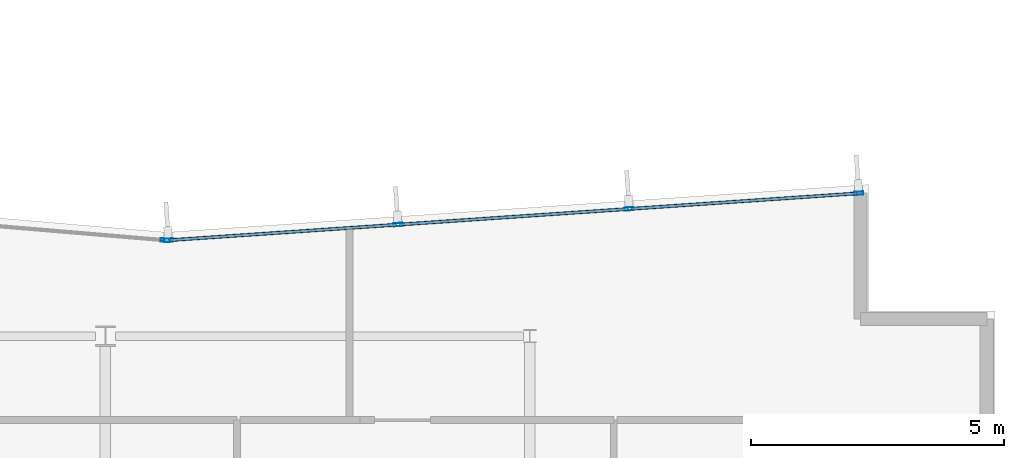
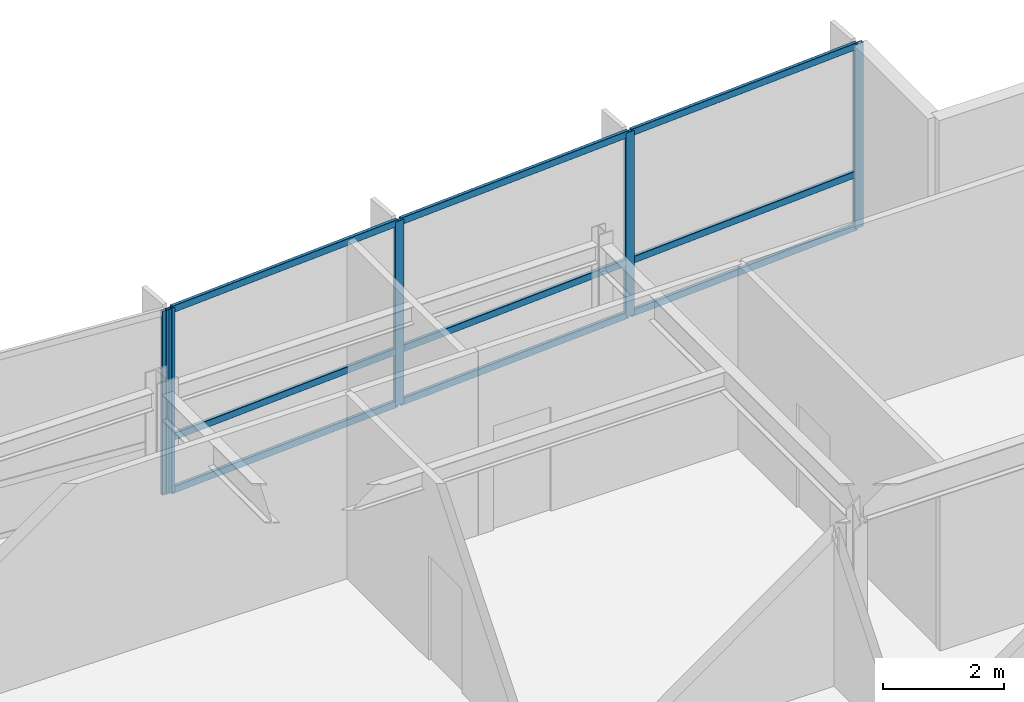
# One storey, part 7 of 15: 14 members, 2 elements without a shape of their own.
"""IFC4 building model written with IfcOpenShell, lengths in metres."""

from ifc_helpers import new_model, si_unit, direction, frame, origin, origin_2d, place, context, subcontext, project, spatial, hollow_rectangle, extrude, material, layer, layer_set, material_profile, profile_set, type_object, element, aggregate, save


model = new_model("IFC4")

# Units and contexts
model_context = context("Model", 3, precision=1e-05, world=origin(), true_north=direction((0.0, 1.0)))
body_context = subcontext(model_context, "Body", "Model", "MODEL_VIEW")
ifc_project = project(units=[si_unit("LENGTHUNIT", "METRE"), si_unit("AREAUNIT", "SQUARE_METRE"), si_unit("VOLUMEUNIT", "CUBIC_METRE"), si_unit("PLANEANGLEUNIT", "RADIAN"), si_unit("MASSUNIT", "GRAM", prefix="KILO")], contexts=[model_context])

# Site, building, storey
site_placement = place(None, origin())
site = spatial("IfcSite", under=ifc_project, at=site_placement, CompositionType="ELEMENT")
building_placement = place(site_placement, origin())
building = spatial("IfcBuilding", under=site, at=building_placement, Name="Varnakote Quay Hospital", CompositionType="ELEMENT")
storey_placement = place(building_placement, frame((0.0, 0.0, 192.10009765625)))
storey = spatial("IfcBuildingStorey", under=building, at=storey_placement, Name="L47", CompositionType="ELEMENT", Elevation=192.10009765625)

# Curtain wall, members
ifc_material_1 = material(Name="Anodised aluminium 6063-T6 Bronze", Category="aluminium")
ifc_layer = layer(ifc_material_1, 0.219970703125)
ifc_layer_set = layer_set([ifc_layer], Name="Anodised aluminium 6063-T6 Bronze")
curtain_wall_type = type_object("IfcCurtainWallType", Name="CW-SYS-4", PredefinedType="NOTDEFINED", material=ifc_layer_set)
curtain_wall_1_placement = place(storey_placement, origin())
curtain_wall_1 = element("IfcCurtainWall", 1, at=curtain_wall_1_placement, inside=storey, type_object=curtain_wall_type, Name="L47 Unitised Bronze Curtain Wall 1", PredefinedType="NOTDEFINED")
ifc_material_2 = material(Name="Anodised aluminium 6063-T6 Bronze", Category="aluminium")
ifc_material_profile_1 = material_profile(ifc_material_2, hollow_rectangle(XDim=0.06494140625, YDim=0.179931640625, WallThickness=0.00390625, InnerFilletRadius=0.00390625, OuterFilletRadius=0.008056640625, at=origin_2d()), Name="CW-MULL-180x65")
ifc_profile_set_1 = profile_set([ifc_material_profile_1], Name="Anodised aluminium 6063-T6 Bronze")
member_type_1 = type_object("IfcMemberType", Name="CW-MULL-180x65", PredefinedType="MULLION", material=ifc_profile_set_1)
member_1_placement = place(storey_placement, frame((48.507568359375, 31.626708984375, 0.0), z_axis=(0.0, 0.0, 1.0), x_axis=(0.067841851077, -0.997696087615, 0.0)))
member_1 = element("IfcMember", 2, at=member_1_placement, type_object=member_type_1, Name="-4-L47-1 mullion 1", PredefinedType="MULLION", context=body_context, shape_type="SweptSolid", body=[
    extrude(hollow_rectangle(XDim=0.06494140625, YDim=0.179931640625, WallThickness=0.00390625, InnerFilletRadius=0.00390625, OuterFilletRadius=0.008056640625, at=origin_2d()), origin(), (0.0, 0.0, 1.0), 3.7099609375),
])
member_2_placement = place(storey_placement, frame((43.96484375, 31.317626953125, 0.0), z_axis=(0.0, 0.0, 1.0), x_axis=(0.067841851077, -0.997696087615, 0.0)))
member_2 = element("IfcMember", 3, at=member_2_placement, type_object=member_type_1, Name="-4-L47-1 mullion 2", PredefinedType="MULLION", context=body_context, shape_type="SweptSolid", body=[
    extrude(hollow_rectangle(XDim=0.06494140625, YDim=0.179931640625, WallThickness=0.00390625, InnerFilletRadius=0.00390625, OuterFilletRadius=0.008056640625, at=origin_2d()), origin(), (0.0, 0.0, 1.0), 3.7099609375),
])
member_3_placement = place(storey_placement, frame((39.389892578125, 31.006591796875, 0.0), z_axis=(0.0, 0.0, 1.0), x_axis=(0.067841851077, -0.997696087615, 0.0)))
member_3 = element("IfcMember", 4, at=member_3_placement, type_object=member_type_1, Name="-4-L47-1 mullion 3", PredefinedType="MULLION", context=body_context, shape_type="SweptSolid", body=[
    extrude(hollow_rectangle(XDim=0.06494140625, YDim=0.179931640625, WallThickness=0.00390625, InnerFilletRadius=0.00390625, OuterFilletRadius=0.008056640625, at=origin_2d()), origin(), (0.0, 0.0, 1.0), 3.7099609375),
])
member_4_placement = place(storey_placement, frame((34.84716796875, 30.69775390625, 0.0), z_axis=(0.0, 0.0, 1.0), x_axis=(0.067841851077, -0.997696087615, 0.0)))
member_4 = element("IfcMember", 5, at=member_4_placement, type_object=member_type_1, Name="-4-L47-1 mullion 4", PredefinedType="MULLION", context=body_context, shape_type="SweptSolid", body=[
    extrude(hollow_rectangle(XDim=0.06494140625, YDim=0.179931640625, WallThickness=0.00390625, InnerFilletRadius=0.00390625, OuterFilletRadius=0.008056640625, at=origin_2d()), origin(), (0.0, 0.0, 1.0), 3.7099609375),
])

# Curtain wall, member
curtain_wall_2_placement = place(storey_placement, origin())
curtain_wall_2 = element("IfcCurtainWall", 6, at=curtain_wall_2_placement, inside=storey, type_object=curtain_wall_type, Name="L47 Unitised Bronze Curtain Wall 2", PredefinedType="NOTDEFINED")
member_5_placement = place(storey_placement, frame((34.7822265625, 30.6982421875, 0.0), z_axis=(0.0, 0.0, 1.0), x_axis=(-0.084136040089, -0.996454277304, 0.0)))
member_5 = element("IfcMember", 7, at=member_5_placement, type_object=member_type_1, Name="-4-L47-2 mullion 1", PredefinedType="MULLION", context=body_context, shape_type="SweptSolid", body=[
    extrude(hollow_rectangle(XDim=0.06494140625, YDim=0.179931640625, WallThickness=0.00390625, InnerFilletRadius=0.00390625, OuterFilletRadius=0.008056640625, at=origin_2d()), origin(), (0.0, 0.0, 1.0), 3.7099609375),
])
aggregate(curtain_wall_2, [member_5])

# Member
ifc_material_3 = material(Name="Anodised aluminium 6063-T6 Bronze", Category="aluminium")
ifc_material_profile_2 = material_profile(ifc_material_3, hollow_rectangle(XDim=0.06494140625, YDim=0.139892578125, WallThickness=0.00390625, InnerFilletRadius=0.00390625, OuterFilletRadius=0.007568359375, at=origin_2d()), Name="CW-TRAN-140x65")
ifc_profile_set_2 = profile_set([ifc_material_profile_2], Name="Anodised aluminium 6063-T6 Bronze")
member_type_2 = type_object("IfcMemberType", Name="CW-TRAN-140x65", PredefinedType="USERDEFINED", material=ifc_profile_set_2)
member_6_placement = place(storey_placement, frame((48.47509765625, 31.62451171875, 0.032470703125), z_axis=(-0.997692996523, -0.067887294022, 0.0), x_axis=(0.067887294022, -0.997692996523, 0.0)))
member_6 = element("IfcMember", 8, at=member_6_placement, type_object=member_type_2, Name="-4-L47-1 transom 1.1", ObjectType="TRANSOM", PredefinedType="USERDEFINED", context=body_context, shape_type="SweptSolid", body=[
    extrude(hollow_rectangle(XDim=0.06494140625, YDim=0.139892578125, WallThickness=0.00390625, InnerFilletRadius=0.00390625, OuterFilletRadius=0.007568359375, at=origin_2d()), origin(), (0.0, 0.0, 1.0), 4.488037109375),
])

member_7_placement = place(storey_placement, frame((48.47509765625, 31.62451171875, 1.099853515625), z_axis=(-0.997692996523, -0.067887294022, 0.0), x_axis=(0.067887294022, -0.997692996523, 0.0)))
member_7 = element("IfcMember", 9, at=member_7_placement, type_object=member_type_2, Name="-4-L47-1 transom 1.2", ObjectType="TRANSOM", PredefinedType="USERDEFINED", context=body_context, shape_type="SweptSolid", body=[
    extrude(hollow_rectangle(XDim=0.06494140625, YDim=0.139892578125, WallThickness=0.00390625, InnerFilletRadius=0.00390625, OuterFilletRadius=0.007568359375, at=origin_2d()), origin(), (0.0, 0.0, 1.0), 4.488037109375),
])

member_8_placement = place(storey_placement, frame((48.47509765625, 31.62451171875, 3.677490234375), z_axis=(-0.997692996523, -0.067887294022, 0.0), x_axis=(0.067887294022, -0.997692996523, 0.0)))
member_8 = element("IfcMember", 10, at=member_8_placement, type_object=member_type_2, Name="-4-L47-1 transom 1.3", ObjectType="TRANSOM", PredefinedType="USERDEFINED", context=body_context, shape_type="SweptSolid", body=[
    extrude(hollow_rectangle(XDim=0.06494140625, YDim=0.139892578125, WallThickness=0.00390625, InnerFilletRadius=0.00390625, OuterFilletRadius=0.007568359375, at=origin_2d()), origin(), (0.0, 0.0, 1.0), 4.488037109375),
])

member_9_placement = place(storey_placement, frame((43.932373046875, 31.3154296875, 0.032470703125), z_axis=(-0.997696835235, -0.06783085553, 0.0), x_axis=(0.06783085553, -0.997696835235, 0.0)))
member_9 = element("IfcMember", 11, at=member_9_placement, type_object=member_type_2, Name="-4-L47-1 transom 2.1", ObjectType="TRANSOM", PredefinedType="USERDEFINED", context=body_context, shape_type="SweptSolid", body=[
    extrude(hollow_rectangle(XDim=0.06494140625, YDim=0.139892578125, WallThickness=0.00390625, InnerFilletRadius=0.00390625, OuterFilletRadius=0.007568359375, at=origin_2d()), origin(), (0.0, 0.0, 1.0), 4.520751953125),
])

member_10_placement = place(storey_placement, frame((43.932373046875, 31.3154296875, 1.099853515625), z_axis=(-0.997696835235, -0.06783085553, 0.0), x_axis=(0.06783085553, -0.997696835235, 0.0)))
member_10 = element("IfcMember", 12, at=member_10_placement, type_object=member_type_2, Name="-4-L47-1 transom 2.2", ObjectType="TRANSOM", PredefinedType="USERDEFINED", context=body_context, shape_type="SweptSolid", body=[
    extrude(hollow_rectangle(XDim=0.06494140625, YDim=0.139892578125, WallThickness=0.00390625, InnerFilletRadius=0.00390625, OuterFilletRadius=0.007568359375, at=origin_2d()), origin(), (0.0, 0.0, 1.0), 4.520751953125),
])

member_11_placement = place(storey_placement, frame((43.932373046875, 31.3154296875, 3.677490234375), z_axis=(-0.997696835235, -0.06783085553, 0.0), x_axis=(0.06783085553, -0.997696835235, 0.0)))
member_11 = element("IfcMember", 13, at=member_11_placement, type_object=member_type_2, Name="-4-L47-1 transom 2.3", ObjectType="TRANSOM", PredefinedType="USERDEFINED", context=body_context, shape_type="SweptSolid", body=[
    extrude(hollow_rectangle(XDim=0.06494140625, YDim=0.139892578125, WallThickness=0.00390625, InnerFilletRadius=0.00390625, OuterFilletRadius=0.007568359375, at=origin_2d()), origin(), (0.0, 0.0, 1.0), 4.520751953125),
])

member_12_placement = place(storey_placement, frame((39.357421875, 31.00439453125, 0.032470703125), z_axis=(-0.997696679404, -0.06783314755, 0.0), x_axis=(0.06783314755, -0.997696679404, 0.0)))
member_12 = element("IfcMember", 14, at=member_12_placement, type_object=member_type_2, Name="-4-L47-1 transom 3.1", ObjectType="TRANSOM", PredefinedType="USERDEFINED", context=body_context, shape_type="SweptSolid", body=[
    extrude(hollow_rectangle(XDim=0.06494140625, YDim=0.139892578125, WallThickness=0.00390625, InnerFilletRadius=0.00390625, OuterFilletRadius=0.007568359375, at=origin_2d()), origin(), (0.0, 0.0, 1.0), 4.488037109375),
])

member_13_placement = place(storey_placement, frame((39.357421875, 31.00439453125, 1.099853515625), z_axis=(-0.997696679404, -0.06783314755, 0.0), x_axis=(0.06783314755, -0.997696679404, 0.0)))
member_13 = element("IfcMember", 15, at=member_13_placement, type_object=member_type_2, Name="-4-L47-1 transom 3.2", ObjectType="TRANSOM", PredefinedType="USERDEFINED", context=body_context, shape_type="SweptSolid", body=[
    extrude(hollow_rectangle(XDim=0.06494140625, YDim=0.139892578125, WallThickness=0.00390625, InnerFilletRadius=0.00390625, OuterFilletRadius=0.007568359375, at=origin_2d()), origin(), (0.0, 0.0, 1.0), 4.488037109375),
])

member_14_placement = place(storey_placement, frame((39.357421875, 31.00439453125, 3.677490234375), z_axis=(-0.997696679404, -0.06783314755, 0.0), x_axis=(0.06783314755, -0.997696679404, 0.0)))
member_14 = element("IfcMember", 16, at=member_14_placement, type_object=member_type_2, Name="-4-L47-1 transom 3.3", ObjectType="TRANSOM", PredefinedType="USERDEFINED", context=body_context, shape_type="SweptSolid", body=[
    extrude(hollow_rectangle(XDim=0.06494140625, YDim=0.139892578125, WallThickness=0.00390625, InnerFilletRadius=0.00390625, OuterFilletRadius=0.007568359375, at=origin_2d()), origin(), (0.0, 0.0, 1.0), 4.488037109375),
])

aggregate(curtain_wall_1, [member_1, member_2, member_3, member_4, member_6, member_7, member_8, member_9, member_10, member_11, member_12, member_13, member_14])

save(model, "model.ifc")
